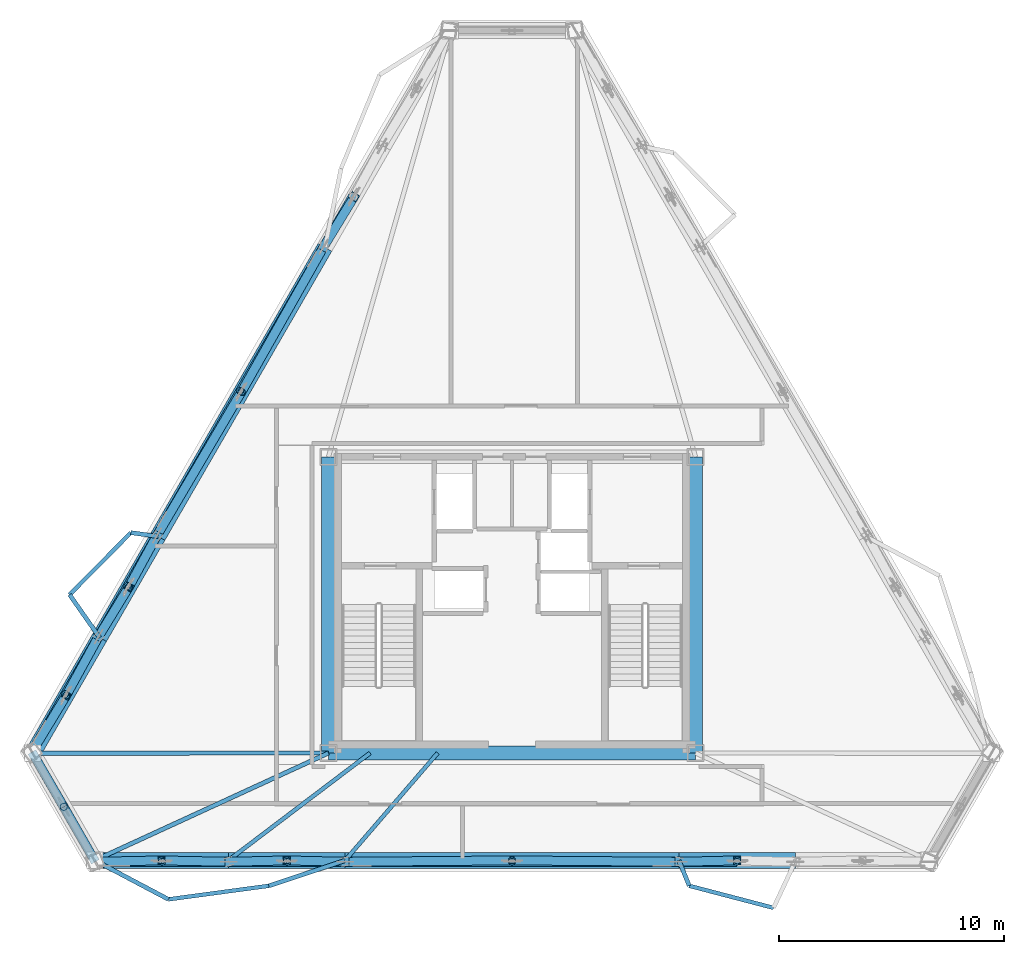
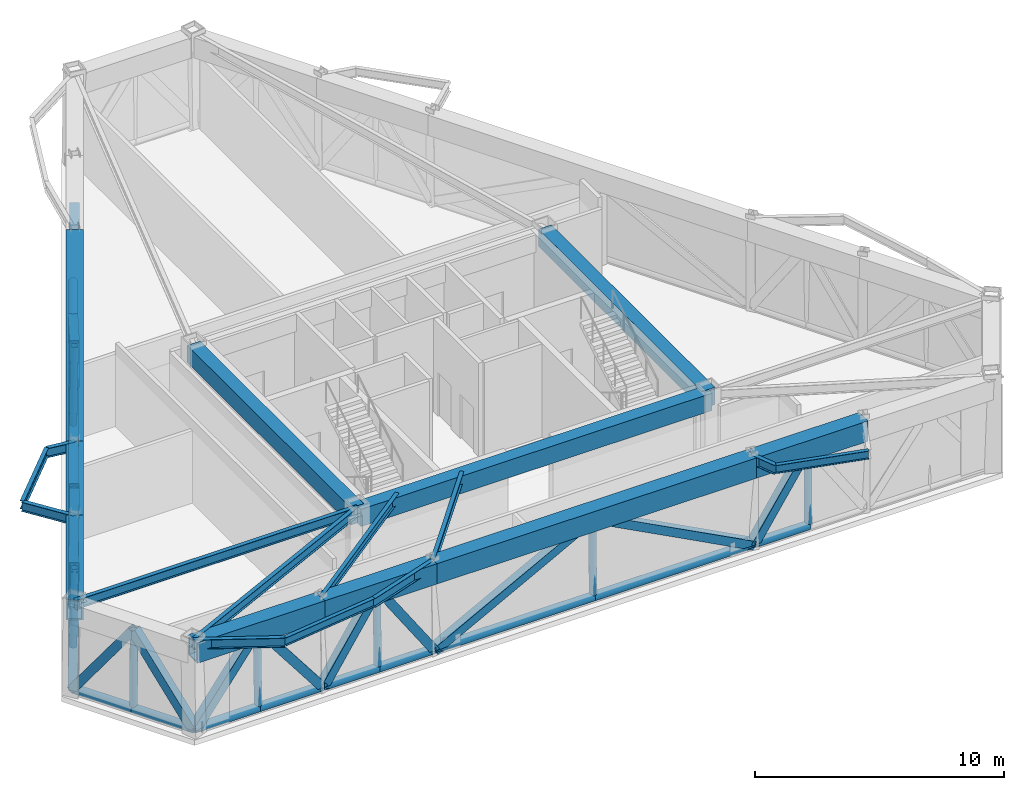
# One storey, part 2 of 10: 40 members, 22 beams.
"""IFC4 building model written with IfcOpenShell, lengths in metres."""

from ifc_helpers import new_model, si_unit, direction, frame, origin, origin_2d, place, context, subcontext, project, spatial, rectangle, hollow_rectangle, hollow_circle, i_section, extrude, material, material_profile, profile_set, type_object, element, save


model = new_model("IFC4")

# Units and contexts
model_context = context("Model", 3, precision=1e-05, world=origin(), true_north=direction((0.0, 1.0)))
body_context = subcontext(model_context, "Body", "Model", "MODEL_VIEW")
ifc_project = project(units=[si_unit("LENGTHUNIT", "METRE"), si_unit("AREAUNIT", "SQUARE_METRE"), si_unit("VOLUMEUNIT", "CUBIC_METRE"), si_unit("PLANEANGLEUNIT", "RADIAN"), si_unit("MASSUNIT", "GRAM", prefix="KILO")], contexts=[model_context])

# Site, building, storey
site_placement = place(None, origin())
site = spatial("IfcSite", under=ifc_project, at=site_placement, CompositionType="ELEMENT")
building_placement = place(site_placement, origin())
building = spatial("IfcBuilding", under=site, at=building_placement, Name="Oramaril Tower", CompositionType="ELEMENT")
storey_placement = place(building_placement, frame((0.0, 0.0, 245.10009765625)))
storey = spatial("IfcBuildingStorey", under=building, at=storey_placement, Name="L65", CompositionType="ELEMENT", Elevation=245.10009765625)

# Beams
ifc_material_1 = material(Name="Steel ASTM A572 Gr 50", Category="steel")
ifc_material_profile_1 = material_profile(ifc_material_1, i_section(OverallWidth=0.19091796875, OverallDepth=0.45703125, WebThickness=0.009033203125, FlangeThickness=0.014404296875, at=origin_2d()), Name="W18X50")
ifc_profile_set_1 = profile_set([ifc_material_profile_1], Name="Steel ASTM A572 Gr 50")
beam_type_1 = type_object("IfcBeamType", Name="BT-BB1", PredefinedType="BEAM", material=ifc_profile_set_1)
beam_1_placement = place(storey_placement, frame((29.35009765625, 11.0, 4.351318359375), z_axis=(-0.999999736844, -0.000725473227, 0.0), x_axis=(0.000725473227, -0.999999736844, 0.0)))
element("IfcBeam", 1, at=beam_1_placement, inside=storey, type_object=beam_type_1, Name="L65 Radial Primary Beam RB-01", PredefinedType="BEAM", context=body_context, shape_type="SweptSolid", body=[
    extrude(i_section(OverallWidth=0.19091796875, OverallDepth=0.45703125, WebThickness=0.009033203125, FlangeThickness=0.014404296875, at=origin_2d()), origin(), (0.0, 0.0, 1.0), 13.12451171875),
])
beam_2_placement = place(storey_placement, frame((29.35009765625, 11.0, 4.351318359375), z_axis=(-0.908607783353, -0.41765044718, 0.0), x_axis=(0.41765044718, -0.908607783353, 0.0)))
element("IfcBeam", 2, at=beam_2_placement, inside=storey, type_object=beam_type_1, Name="L65 Radial Primary Beam RB-02", PredefinedType="BEAM", context=body_context, shape_type="SweptSolid", body=[
    extrude(i_section(OverallWidth=0.19091796875, OverallDepth=0.45703125, WebThickness=0.009033203125, FlangeThickness=0.014404296875, at=origin_2d()), origin(), (0.0, 0.0, 1.0), 11.419921875),
])
beam_3_placement = place(storey_placement, frame((18.973876953125, 6.23046875, 4.351318359375), z_axis=(0.884062224735, -0.467369214644, 0.0), x_axis=(0.467369214644, 0.884062224735, 0.0)))
element("IfcBeam", 3, at=beam_3_placement, inside=storey, type_object=beam_type_1, Name="L65 Balcony Column-Framed Cantilever 01.1", PredefinedType="BEAM", context=body_context, shape_type="SweptSolid", body=[
    extrude(i_section(OverallWidth=0.19091796875, OverallDepth=0.45703125, WebThickness=0.009033203125, FlangeThickness=0.014404296875, at=origin_2d()), origin(), (0.0, 0.0, 1.0), 3.699951171875),
])
beam_4_placement = place(storey_placement, frame((30.089599609375, 6.23046875, 4.351318359375), z_axis=(-0.948703826322, -0.316166174537, 0.0), x_axis=(0.316166174537, -0.948703826322, 0.0)))
element("IfcBeam", 4, at=beam_4_placement, inside=storey, type_object=beam_type_1, Name="L65 Balcony Column-Framed Cantilever 01.2", PredefinedType="BEAM", context=body_context, shape_type="SweptSolid", body=[
    extrude(i_section(OverallWidth=0.19091796875, OverallDepth=0.45703125, WebThickness=0.009033203125, FlangeThickness=0.014404296875, at=origin_2d()), origin(), (0.0, 0.0, 1.0), 3.567626953125),
])
for number, where, z_axis, x_axis, name in (
    (5, (44.910400390625, 6.23046875, 4.351318359375), (0.377258682388, -0.926107923821, 0.0), (0.926107923821, 0.377258682388, 0.0), "L65 Balcony Column-Framed Cantilever 02.1"),
    (6, (21.783447265625, 20.6171875, 4.351318359375), (-0.990665985927, 0.13631179086, 0.0), (-0.13631179086, -0.990665985927, 0.0), "L65 Balcony Column-Framed Cantilever 06.1"),
):
    element("IfcBeam", number, at=place(storey_placement, frame(where, z_axis=z_axis, x_axis=x_axis)), inside=storey, type_object=beam_type_1, Name=name, PredefinedType="BEAM", context=body_context, shape_type="SweptSolid", body=[
        extrude(i_section(OverallWidth=0.19091796875, OverallDepth=0.45703125, WebThickness=0.009033203125, FlangeThickness=0.014404296875, at=origin_2d()), origin(), (0.0, 0.0, 1.0), 1.218017578125),
    ])
beam_5_placement = place(storey_placement, frame((19.189697265625, 16.124755859375, 4.351318359375), z_axis=(-0.573258053898, 0.819374885899, 0.0), x_axis=(-0.819374885899, -0.573258053898, 0.0)))
element("IfcBeam", 7, at=beam_5_placement, inside=storey, type_object=beam_type_1, Name="L65 Balcony Column-Framed Cantilever 06.2", PredefinedType="BEAM", context=body_context, shape_type="SweptSolid", body=[
    extrude(i_section(OverallWidth=0.19091796875, OverallDepth=0.45703125, WebThickness=0.009033203125, FlangeThickness=0.014404296875, at=origin_2d()), origin(), (0.0, 0.0, 1.0), 2.326171875),
])
ifc_material_2 = material(Name="Steel ASTM A572 Gr 50", Category="steel")
ifc_material_profile_2 = material_profile(ifc_material_2, hollow_rectangle(XDim=0.699951171875, YDim=1.0, WallThickness=0.06494140625, at=origin_2d()), Name="BOX1000X700X65")
ifc_profile_set_2 = profile_set([ifc_material_profile_2], Name="Steel ASTM A572 Gr 50")
beam_type_2 = type_object("IfcBeamType", Name="BT-BT1", PredefinedType="BEAM", material=ifc_profile_set_2)
beam_6_placement = place(storey_placement, frame((18.973876953125, 6.23046875, 4.079833984375), z_axis=(1.0, 0.0, 0.0), x_axis=(0.0, 1.0, 0.0)))
element("IfcBeam", 8, at=beam_6_placement, inside=storey, type_object=beam_type_2, Name="L65 Perimeter Spandrel 02", PredefinedType="BEAM", context=body_context, shape_type="SweptSolid", body=[
    extrude(hollow_rectangle(XDim=0.699951171875, YDim=1.0, WallThickness=0.06494140625, at=origin_2d()), origin(), (0.0, 0.0, 1.0), 5.92822265625),
])
beam_7_placement = place(storey_placement, frame((24.902099609375, 6.23046875, 4.079833984375), z_axis=(1.0, 0.0, 0.0), x_axis=(0.0, 1.0, 0.0)))
element("IfcBeam", 9, at=beam_7_placement, inside=storey, type_object=beam_type_2, Name="L65 Perimeter Spandrel 03", PredefinedType="BEAM", context=body_context, shape_type="SweptSolid", body=[
    extrude(hollow_rectangle(XDim=0.699951171875, YDim=1.0, WallThickness=0.06494140625, at=origin_2d()), origin(), (0.0, 0.0, 1.0), 5.1875),
])
beam_8_placement = place(storey_placement, frame((30.089599609375, 6.23046875, 4.079833984375), z_axis=(1.0, 0.0, 0.0), x_axis=(0.0, 1.0, 0.0)))
element("IfcBeam", 10, at=beam_8_placement, inside=storey, type_object=beam_type_2, Name="L65 Perimeter Spandrel 04", PredefinedType="BEAM", context=body_context, shape_type="SweptSolid", body=[
    extrude(hollow_rectangle(XDim=0.699951171875, YDim=1.0, WallThickness=0.06494140625, at=origin_2d()), origin(), (0.0, 0.0, 1.0), 14.82080078125),
])
beam_9_placement = place(storey_placement, frame((44.910400390625, 6.23046875, 4.079833984375), z_axis=(1.0, 0.0, 0.0), x_axis=(0.0, 1.0, 0.0)))
element("IfcBeam", 11, at=beam_9_placement, inside=storey, type_object=beam_type_2, Name="L65 Perimeter Spandrel 05", PredefinedType="BEAM", context=body_context, shape_type="SweptSolid", body=[
    extrude(hollow_rectangle(XDim=0.699951171875, YDim=1.0, WallThickness=0.06494140625, at=origin_2d()), origin(), (0.0, 0.0, 1.0), 5.1875),
])
beam_10_placement = place(storey_placement, frame((29.19384765625, 33.452392578125, 4.079833984375), z_axis=(-0.499999558914, -0.866025658445, 0.0), x_axis=(0.866025658445, -0.499999558914, 0.0)))
element("IfcBeam", 12, at=beam_10_placement, inside=storey, type_object=beam_type_2, Name="L65 Perimeter Spandrel 16", PredefinedType="BEAM", context=body_context, shape_type="SweptSolid", body=[
    extrude(hollow_rectangle(XDim=0.699951171875, YDim=1.0, WallThickness=0.06494140625, at=origin_2d()), origin(), (0.0, 0.0, 1.0), 14.82080078125),
])
beam_11_placement = place(storey_placement, frame((21.783447265625, 20.6171875, 4.079833984375), z_axis=(-0.500006272302, -0.866021782439, 0.0), x_axis=(0.866021782439, -0.500006272302, 0.0)))
element("IfcBeam", 13, at=beam_11_placement, inside=storey, type_object=beam_type_2, Name="L65 Perimeter Spandrel 17", PredefinedType="BEAM", context=body_context, shape_type="SweptSolid", body=[
    extrude(hollow_rectangle(XDim=0.699951171875, YDim=1.0, WallThickness=0.06494140625, at=origin_2d()), origin(), (0.0, 0.0, 1.0), 5.1875),
])
beam_12_placement = place(storey_placement, frame((19.189697265625, 16.124755859375, 4.079833984375), z_axis=(-0.499979116088, -0.866037460781, 0.0), x_axis=(0.866037460781, -0.499979116088, 0.0)))
element("IfcBeam", 14, at=beam_12_placement, inside=storey, type_object=beam_type_2, Name="L65 Perimeter Spandrel 18", PredefinedType="BEAM", context=body_context, shape_type="SweptSolid", body=[
    extrude(hollow_rectangle(XDim=0.699951171875, YDim=1.0, WallThickness=0.06494140625, at=origin_2d()), origin(), (0.0, 0.0, 1.0), 5.928466796875),
])
ifc_material_3 = material(Name="Concrete C50/60", Category="concrete")
ifc_material_profile_3 = material_profile(ifc_material_3, rectangle(XDim=0.60009765625, YDim=0.85009765625, at=origin_2d()), Name="CB600X850")
ifc_profile_set_3 = profile_set([ifc_material_profile_3], Name="Concrete C50/60")
beam_type_3 = type_object("IfcBeamType", Name="BT-CB2", PredefinedType="BEAM", material=ifc_profile_set_3)
beam_13_placement = place(storey_placement, frame((29.35009765625, 11.0, 4.15478515625), z_axis=(1.0, 0.0, 0.0), x_axis=(0.0, 1.0, 0.0)))
element("IfcBeam", 15, at=beam_13_placement, inside=storey, type_object=beam_type_3, Name="L65 Core Header Beam CB-1", PredefinedType="BEAM", context=body_context, shape_type="SweptSolid", body=[
    extrude(rectangle(XDim=0.60009765625, YDim=0.85009765625, at=origin_2d()), origin(), (0.0, 0.0, 1.0), 16.2998046875),
])
for number, where, z_axis, x_axis, name in (
    (16, (45.64990234375, 11.0, 4.15478515625), (0.0, 1.0, 0.0), (-1.0, 0.0, 0.0), "L65 Core Header Beam CB-2"),
    (17, (29.35009765625, 24.14990234375, 4.15478515625), (0.0, -1.0, 0.0), (1.0, 0.0, 0.0), "L65 Core Header Beam CB-4"),
):
    element("IfcBeam", number, at=place(storey_placement, frame(where, z_axis=z_axis, x_axis=x_axis)), inside=storey, type_object=beam_type_3, Name=name, PredefinedType="BEAM", context=body_context, shape_type="SweptSolid", body=[
        extrude(rectangle(XDim=0.60009765625, YDim=0.85009765625, at=origin_2d()), origin(), (0.0, 0.0, 1.0), 13.14990234375),
    ])
ifc_material_4 = material(Name="Steel ASTM A572 Gr 50", Category="steel")
ifc_material_profile_4 = material_profile(ifc_material_4, i_section(OverallWidth=0.177978515625, OverallDepth=0.404052734375, WebThickness=0.007568359375, FlangeThickness=0.010986328125, at=origin_2d()), Name="W16X36")
ifc_profile_set_4 = profile_set([ifc_material_profile_4], Name="Steel ASTM A572 Gr 50")
beam_type_4 = type_object("IfcBeamType", Name="BT-SB1", PredefinedType="BEAM", material=ifc_profile_set_4)
beam_14_placement = place(storey_placement, frame((31.199951171875, 11.0, 4.3779296875), z_axis=(-0.797187697542, -0.603731542068, 0.0), x_axis=(0.603731542068, -0.797187697542, 0.0)))
element("IfcBeam", 18, at=beam_14_placement, inside=storey, type_object=beam_type_4, Name="L65 Secondary Floor Beam SB-01", PredefinedType="BEAM", context=body_context, shape_type="SweptSolid", body=[
    extrude(i_section(OverallWidth=0.177978515625, OverallDepth=0.404052734375, WebThickness=0.007568359375, FlangeThickness=0.010986328125, at=origin_2d()), origin(), (0.0, 0.0, 1.0), 7.900146484375),
])
beam_15_placement = place(storey_placement, frame((34.199951171875, 11.0, 4.3779296875), z_axis=(-0.652819955538, -0.757513105927, 0.0), x_axis=(0.757513105927, -0.652819955538, 0.0)))
element("IfcBeam", 19, at=beam_15_placement, inside=storey, type_object=beam_type_4, Name="L65 Secondary Floor Beam SB-02", PredefinedType="BEAM", context=body_context, shape_type="SweptSolid", body=[
    extrude(i_section(OverallWidth=0.177978515625, OverallDepth=0.404052734375, WebThickness=0.007568359375, FlangeThickness=0.010986328125, at=origin_2d()), origin(), (0.0, 0.0, 1.0), 6.29638671875),
])
beam_16_placement = place(storey_placement, frame((22.244873046875, 4.501220703125, 4.3779296875), z_axis=(0.991034020981, 0.13360976483, 0.0), x_axis=(-0.13360976483, 0.991034020981, 0.0)))
element("IfcBeam", 20, at=beam_16_placement, inside=storey, type_object=beam_type_4, Name="L65 Balcony Edge Tie Beam 01", PredefinedType="BEAM", context=body_context, shape_type="SweptSolid", body=[
    extrude(i_section(OverallWidth=0.177978515625, OverallDepth=0.404052734375, WebThickness=0.007568359375, FlangeThickness=0.010986328125, at=origin_2d()), origin(), (0.0, 0.0, 1.0), 4.50048828125),
])
for number, where, z_axis, x_axis, name in (
    (21, (45.369873046875, 5.1025390625, 4.3779296875), (0.967407922874, -0.253223045479, 0.0), (0.253223045479, 0.967407922874, 0.0), "L65 Balcony Edge Tie Beam 02"),
    (22, (20.576904296875, 20.783203125, 4.3779296875), (-0.702994511648, -0.71119527318, 0.0), (0.71119527318, -0.702994511648, 0.0), "L65 Balcony Edge Tie Beam 06"),
):
    element("IfcBeam", number, at=place(storey_placement, frame(where, z_axis=z_axis, x_axis=x_axis)), inside=storey, type_object=beam_type_4, Name=name, PredefinedType="BEAM", context=body_context, shape_type="SweptSolid", body=[
        extrude(i_section(OverallWidth=0.177978515625, OverallDepth=0.404052734375, WebThickness=0.007568359375, FlangeThickness=0.010986328125, at=origin_2d()), origin(), (0.0, 0.0, 1.0), 3.8701171875),
    ])

# Members
ifc_material_5 = material(Name="Steel ASTM A572 Gr 50", Category="steel")
ifc_material_profile_5 = material_profile(ifc_material_5, hollow_rectangle(XDim=0.39990234375, YDim=0.39990234375, WallThickness=0.02001953125, at=origin_2d()), Name="HSS400X400X20")
ifc_profile_set_5 = profile_set([ifc_material_profile_5], Name="Steel ASTM A572 Gr 50")
member_type_1 = type_object("IfcMemberType", Name="MT-BD1", PredefinedType="BRACE", material=ifc_profile_set_5)
for number, where, z_axis, x_axis, name in (
    (23, (16.18408203125, 11.04345703125, 0.2099609375), (0.295811617884, -0.508410274615, 0.808711616951), (0.864341482585, 0.502905360364, 0.0), "L65 Truss Diagonal 01A"),
    (24, (18.998779296875, 6.168212890625, 0.2099609375), (-0.292390889249, 0.510395822029, 0.808704935523), (-0.867703534093, -0.497082062564, 0.0), "L65 Truss Diagonal 01B"),
):
    element("IfcMember", number, at=place(storey_placement, frame(where, z_axis=z_axis, x_axis=x_axis)), inside=storey, type_object=member_type_1, Name=name, PredefinedType="BRACE", context=body_context, shape_type="SweptSolid", body=[
        extrude(hollow_rectangle(XDim=0.39990234375, YDim=0.39990234375, WallThickness=0.02001953125, at=origin_2d()), origin(), (0.0, 0.0, 1.0), 4.78515625),
    ])
member_1_placement = place(storey_placement, frame((18.998779296875, 6.168212890625, 0.2099609375), z_axis=(0.604786487698, 0.012810080103, 0.79628462634), x_axis=(-0.021176411449, 0.999775754656, 0.0)))
element("IfcMember", 25, at=member_1_placement, inside=storey, type_object=member_type_1, Name="L65 Truss Diagonal 02A", PredefinedType="BRACE", context=body_context, shape_type="SweptSolid", body=[
    extrude(hollow_rectangle(XDim=0.39990234375, YDim=0.39990234375, WallThickness=0.02001953125, at=origin_2d()), origin(), (0.0, 0.0, 1.0), 4.85986328125),
])
member_2_placement = place(storey_placement, frame((24.919189453125, 6.168212890625, 0.2099609375), z_axis=(-0.610223810426, 0.012743188245, 0.792126575961), x_axis=(-0.020878258658, -0.999782025401, 0.0)))
element("IfcMember", 26, at=member_2_placement, inside=storey, type_object=member_type_1, Name="L65 Truss Diagonal 02B", PredefinedType="BRACE", context=body_context, shape_type="SweptSolid", body=[
    extrude(hollow_rectangle(XDim=0.39990234375, YDim=0.39990234375, WallThickness=0.02001953125, at=origin_2d()), origin(), (0.0, 0.0, 1.0), 4.885498046875),
])
member_3_placement = place(storey_placement, frame((24.919189453125, 6.168212890625, 0.2099609375), z_axis=(0.554165691322, 0.01338944962, 0.832298689895), x_axis=(-0.024154406021, 0.999708239773, 0.0)))
element("IfcMember", 27, at=member_3_placement, inside=storey, type_object=member_type_1, Name="L65 Truss Diagonal 03A", PredefinedType="BRACE", context=body_context, shape_type="SweptSolid", body=[
    extrude(hollow_rectangle(XDim=0.39990234375, YDim=0.39990234375, WallThickness=0.02001953125, at=origin_2d()), origin(), (0.0, 0.0, 1.0), 4.649658203125),
])
member_4_placement = place(storey_placement, frame((30.099609375, 6.168212890625, 0.2099609375), z_axis=(-0.558184627744, 0.013346186599, 0.82960942657), x_axis=(-0.023903154345, -0.999714278788, 0.0)))
element("IfcMember", 28, at=member_4_placement, inside=storey, type_object=member_type_1, Name="L65 Truss Diagonal 03B", PredefinedType="BRACE", context=body_context, shape_type="SweptSolid", body=[
    extrude(hollow_rectangle(XDim=0.39990234375, YDim=0.39990234375, WallThickness=0.02001953125, at=origin_2d()), origin(), (0.0, 0.0, 1.0), 4.664794921875),
])
for number, where, z_axis, x_axis, name in (
    (29, (30.099609375, 6.168212890625, 0.2099609375), (0.886127706926, 0.007454558105, 0.463381178493), (-0.008412212235, 0.999964616717, 0.0), "L65 Truss Diagonal 04A"),
    (30, (44.900390625, 6.168212890625, 0.2099609375), (-0.886127706926, 0.007454558105, 0.463381178493), (-0.008412212235, -0.999964616717, 0.0), "L65 Truss Diagonal 04B"),
):
    element("IfcMember", number, at=place(storey_placement, frame(where, z_axis=z_axis, x_axis=x_axis)), inside=storey, type_object=member_type_1, Name=name, PredefinedType="BRACE", context=body_context, shape_type="SweptSolid", body=[
        extrude(hollow_rectangle(XDim=0.39990234375, YDim=0.39990234375, WallThickness=0.02001953125, at=origin_2d()), origin(), (0.0, 0.0, 1.0), 8.351318359375),
    ])
member_5_placement = place(storey_placement, frame((44.900390625, 6.168212890625, 0.2099609375), z_axis=(0.558184627744, 0.013346186599, 0.82960942657), x_axis=(-0.023903154345, 0.999714278788, 0.0)))
element("IfcMember", 31, at=member_5_placement, inside=storey, type_object=member_type_1, Name="L65 Truss Diagonal 05A", PredefinedType="BRACE", context=body_context, shape_type="SweptSolid", body=[
    extrude(hollow_rectangle(XDim=0.39990234375, YDim=0.39990234375, WallThickness=0.02001953125, at=origin_2d()), origin(), (0.0, 0.0, 1.0), 4.664794921875),
])
member_6_placement = place(storey_placement, frame((29.135009765625, 33.474853515625, 0.2099609375), z_axis=(0.29063912033, 0.476704683587, 0.829627353925), x_axis=(-0.853823614956, 0.520562421371, 0.0)))
element("IfcMember", 32, at=member_6_placement, inside=storey, type_object=member_type_1, Name="L65 Truss Diagonal 15B", PredefinedType="BRACE", context=body_context, shape_type="SweptSolid", body=[
    extrude(hollow_rectangle(XDim=0.39990234375, YDim=0.39990234375, WallThickness=0.02001953125, at=origin_2d()), origin(), (0.0, 0.0, 1.0), 4.66455078125),
])
member_7_placement = place(storey_placement, frame((29.135009765625, 33.474853515625, 0.2099609375), z_axis=(-0.436598852886, -0.771144368281, 0.463376526086), x_axis=(0.870207487805, -0.492685425163, 0.0)))
element("IfcMember", 33, at=member_7_placement, inside=storey, type_object=member_type_1, Name="L65 Truss Diagonal 16A", PredefinedType="BRACE", context=body_context, shape_type="SweptSolid", body=[
    extrude(hollow_rectangle(XDim=0.39990234375, YDim=0.39990234375, WallThickness=0.02001953125, at=origin_2d()), origin(), (0.0, 0.0, 1.0), 8.3515625),
])
member_8_placement = place(storey_placement, frame((21.734619140625, 20.656982421875, 0.2099609375), z_axis=(0.449528141412, 0.763674555382, 0.463384962575), x_axis=(-0.861782374353, 0.507278167532, 0.0)))
element("IfcMember", 34, at=member_8_placement, inside=storey, type_object=member_type_1, Name="L65 Truss Diagonal 16B", PredefinedType="BRACE", context=body_context, shape_type="SweptSolid", body=[
    extrude(hollow_rectangle(XDim=0.39990234375, YDim=0.39990234375, WallThickness=0.02001953125, at=origin_2d()), origin(), (0.0, 0.0, 1.0), 8.351318359375),
])
member_9_placement = place(storey_placement, frame((21.734619140625, 20.656982421875, 0.2099609375), z_axis=(-0.267499608467, -0.490093197748, 0.829609918571), x_axis=(0.877762992502, -0.479095114767, 0.0)))
element("IfcMember", 35, at=member_9_placement, inside=storey, type_object=member_type_1, Name="L65 Truss Diagonal 17A", PredefinedType="BRACE", context=body_context, shape_type="SweptSolid", body=[
    extrude(hollow_rectangle(XDim=0.39990234375, YDim=0.39990234375, WallThickness=0.02001953125, at=origin_2d()), origin(), (0.0, 0.0, 1.0), 4.664794921875),
])
member_10_placement = place(storey_placement, frame((19.144287109375, 16.170654296875, 0.2099609375), z_axis=(0.288738267681, 0.473196811846, 0.832295013823), x_axis=(-0.853632855766, 0.52087517464, 0.0)))
element("IfcMember", 36, at=member_10_placement, inside=storey, type_object=member_type_1, Name="L65 Truss Diagonal 17B", PredefinedType="BRACE", context=body_context, shape_type="SweptSolid", body=[
    extrude(hollow_rectangle(XDim=0.39990234375, YDim=0.39990234375, WallThickness=0.02001953125, at=origin_2d()), origin(), (0.0, 0.0, 1.0), 4.649658203125),
])
member_11_placement = place(storey_placement, frame((19.144287109375, 16.170654296875, 0.2099609375), z_axis=(-0.294042044079, -0.534862678073, 0.792124480065), x_axis=(0.87630751106, -0.481752162485, 0.0)))
element("IfcMember", 37, at=member_11_placement, inside=storey, type_object=member_type_1, Name="L65 Truss Diagonal 18A", PredefinedType="BRACE", context=body_context, shape_type="SweptSolid", body=[
    extrude(hollow_rectangle(XDim=0.39990234375, YDim=0.39990234375, WallThickness=0.02001953125, at=origin_2d()), origin(), (0.0, 0.0, 1.0), 4.885498046875),
])
member_12_placement = place(storey_placement, frame((16.18408203125, 11.04345703125, 0.2099609375), z_axis=(0.313521879387, 0.517328683533, 0.796288304786), x_axis=(-0.855205639658, 0.518288832502, 0.0)))
element("IfcMember", 38, at=member_12_placement, inside=storey, type_object=member_type_1, Name="L65 Truss Diagonal 18B", PredefinedType="BRACE", context=body_context, shape_type="SweptSolid", body=[
    extrude(hollow_rectangle(XDim=0.39990234375, YDim=0.39990234375, WallThickness=0.02001953125, at=origin_2d()), origin(), (0.0, 0.0, 1.0), 4.85986328125),
])
ifc_material_6 = material(Name="Steel ASTM A572 Gr 50", Category="steel")
ifc_material_profile_6 = material_profile(ifc_material_6, hollow_circle(Radius=0.202880859375, WallThickness=0.01611328125, at=origin_2d()), Name="CHS406X16")
ifc_profile_set_6 = profile_set([ifc_material_profile_6], Name="Steel ASTM A572 Gr 50")
member_type_2 = type_object("IfcMemberType", Name="MT-CH1", PredefinedType="CHORD", material=ifc_profile_set_6)
for number, where, z_axis, x_axis, name in (
    (39, (16.18408203125, 11.04345703125, 0.2099609375), (0.500047808172, -0.865997799964, 0.0), (0.865997799964, 0.500047808172, 0.0), "L65 Belt Truss Chord 01A"),
    (40, (17.591552734375, 8.60595703125, 0.2099609375), (0.499945196853, -0.866057042084, 0.0), (0.866057042084, 0.499945196853, 0.0), "L65 Belt Truss Chord 01B"),
):
    element("IfcMember", number, at=place(storey_placement, frame(where, z_axis=z_axis, x_axis=x_axis)), inside=storey, type_object=member_type_2, Name=name, PredefinedType="CHORD", context=body_context, shape_type="SweptSolid", body=[
        extrude(hollow_circle(Radius=0.202880859375, WallThickness=0.01611328125, at=origin_2d()), origin(), (0.0, 0.0, 1.0), 2.814697265625),
    ])
for number, where, z_axis, x_axis, name in (
    (41, (18.998779296875, 6.168212890625, 0.2099609375), (1.0, 0.0, 0.0), (0.0, 1.0, 0.0), "L65 Belt Truss Chord 02A"),
    (42, (21.958984375, 6.168212890625, 0.2099609375), (1.0, 0.0, 0.0), (0.0, 1.0, 0.0), "L65 Belt Truss Chord 02B"),
):
    element("IfcMember", number, at=place(storey_placement, frame(where, z_axis=z_axis, x_axis=x_axis)), inside=storey, type_object=member_type_2, Name=name, PredefinedType="CHORD", context=body_context, shape_type="SweptSolid", body=[
        extrude(hollow_circle(Radius=0.202880859375, WallThickness=0.01611328125, at=origin_2d()), origin(), (0.0, 0.0, 1.0), 2.960205078125),
    ])
member_13_placement = place(storey_placement, frame((24.919189453125, 6.168212890625, 0.2099609375), z_axis=(1.0, 0.0, 0.0), x_axis=(0.0, 1.0, 0.0)))
element("IfcMember", 43, at=member_13_placement, inside=storey, type_object=member_type_2, Name="L65 Belt Truss Chord 03A", PredefinedType="CHORD", context=body_context, shape_type="SweptSolid", body=[
    extrude(hollow_circle(Radius=0.202880859375, WallThickness=0.01611328125, at=origin_2d()), origin(), (0.0, 0.0, 1.0), 2.59033203125),
])
member_14_placement = place(storey_placement, frame((27.509521484375, 6.168212890625, 0.2099609375), z_axis=(1.0, 0.0, 0.0), x_axis=(0.0, 1.0, 0.0)))
element("IfcMember", 44, at=member_14_placement, inside=storey, type_object=member_type_2, Name="L65 Belt Truss Chord 03B", PredefinedType="CHORD", context=body_context, shape_type="SweptSolid", body=[
    extrude(hollow_circle(Radius=0.202880859375, WallThickness=0.01611328125, at=origin_2d()), origin(), (0.0, 0.0, 1.0), 2.590087890625),
])
for number, where, z_axis, x_axis, name in (
    (45, (30.099609375, 6.168212890625, 0.2099609375), (1.0, 0.0, 0.0), (0.0, 1.0, 0.0), "L65 Belt Truss Chord 04A"),
    (46, (37.5, 6.168212890625, 0.2099609375), (1.0, 0.0, 0.0), (0.0, 1.0, 0.0), "L65 Belt Truss Chord 04B"),
):
    element("IfcMember", number, at=place(storey_placement, frame(where, z_axis=z_axis, x_axis=x_axis)), inside=storey, type_object=member_type_2, Name=name, PredefinedType="CHORD", context=body_context, shape_type="SweptSolid", body=[
        extrude(hollow_circle(Radius=0.202880859375, WallThickness=0.01611328125, at=origin_2d()), origin(), (0.0, 0.0, 1.0), 7.400390625),
    ])
member_15_placement = place(storey_placement, frame((44.900390625, 6.168212890625, 0.2099609375), z_axis=(1.0, 0.0, 0.0), x_axis=(0.0, 1.0, 0.0)))
element("IfcMember", 47, at=member_15_placement, inside=storey, type_object=member_type_2, Name="L65 Belt Truss Chord 05A", PredefinedType="CHORD", context=body_context, shape_type="SweptSolid", body=[
    extrude(hollow_circle(Radius=0.202880859375, WallThickness=0.01611328125, at=origin_2d()), origin(), (0.0, 0.0, 1.0), 2.590087890625),
])
member_16_placement = place(storey_placement, frame((30.43017578125, 35.718017578125, 0.2099609375), z_axis=(-0.500021611996, -0.866012925733, 0.0), x_axis=(0.866012925733, -0.500021611996, 0.0)))
element("IfcMember", 48, at=member_16_placement, inside=storey, type_object=member_type_2, Name="L65 Belt Truss Chord 15B", PredefinedType="CHORD", context=body_context, shape_type="SweptSolid", body=[
    extrude(hollow_circle(Radius=0.202880859375, WallThickness=0.01611328125, at=origin_2d()), origin(), (0.0, 0.0, 1.0), 2.59033203125),
])
for number, where, z_axis, x_axis, name in (
    (49, (29.135009765625, 33.474853515625, 0.2099609375), (-0.499999457728, -0.866025716865, 0.0), (0.866025716865, -0.499999457728, 0.0), "L65 Belt Truss Chord 16A"),
    (50, (25.434814453125, 27.06591796875, 0.2099609375), (-0.499999457728, -0.866025716865, 0.0), (0.866025716865, -0.499999457728, 0.0), "L65 Belt Truss Chord 16B"),
):
    element("IfcMember", number, at=place(storey_placement, frame(where, z_axis=z_axis, x_axis=x_axis)), inside=storey, type_object=member_type_2, Name=name, PredefinedType="CHORD", context=body_context, shape_type="SweptSolid", body=[
        extrude(hollow_circle(Radius=0.202880859375, WallThickness=0.01611328125, at=origin_2d()), origin(), (0.0, 0.0, 1.0), 7.400390625),
    ])
for number, where, z_axis, x_axis, name in (
    (51, (21.734619140625, 20.656982421875, 0.2099609375), (-0.500021611996, -0.866012925733, 0.0), (0.866012925733, -0.500021611996, 0.0), "L65 Belt Truss Chord 17A"),
    (52, (20.439453125, 18.413818359375, 0.2099609375), (-0.500021611996, -0.866012925733, 0.0), (0.866012925733, -0.500021611996, 0.0), "L65 Belt Truss Chord 17B"),
):
    element("IfcMember", number, at=place(storey_placement, frame(where, z_axis=z_axis, x_axis=x_axis)), inside=storey, type_object=member_type_2, Name=name, PredefinedType="CHORD", context=body_context, shape_type="SweptSolid", body=[
        extrude(hollow_circle(Radius=0.202880859375, WallThickness=0.01611328125, at=origin_2d()), origin(), (0.0, 0.0, 1.0), 2.59033203125),
    ])
member_17_placement = place(storey_placement, frame((19.144287109375, 16.170654296875, 0.2099609375), z_axis=(-0.499988999718, -0.866031754707, 0.0), x_axis=(0.866031754707, -0.499988999718, 0.0)))
element("IfcMember", 53, at=member_17_placement, inside=storey, type_object=member_type_2, Name="L65 Belt Truss Chord 18A", PredefinedType="CHORD", context=body_context, shape_type="SweptSolid", body=[
    extrude(hollow_circle(Radius=0.202880859375, WallThickness=0.01611328125, at=origin_2d()), origin(), (0.0, 0.0, 1.0), 2.9599609375),
])
member_18_placement = place(storey_placement, frame((17.664306640625, 13.607177734375, 0.2099609375), z_axis=(-0.500015142839, -0.866016660886, 0.0), x_axis=(0.866016660886, -0.500015142839, 0.0)))
element("IfcMember", 54, at=member_18_placement, inside=storey, type_object=member_type_2, Name="L65 Belt Truss Chord 18B", PredefinedType="CHORD", context=body_context, shape_type="SweptSolid", body=[
    extrude(hollow_circle(Radius=0.202880859375, WallThickness=0.01611328125, at=origin_2d()), origin(), (0.0, 0.0, 1.0), 2.96044921875),
])
ifc_material_7 = material(Name="Steel ASTM A572 Gr 50", Category="steel")
ifc_material_profile_7 = material_profile(ifc_material_7, hollow_circle(Radius=0.162109375, WallThickness=0.011962890625, at=origin_2d()), Name="CHS324X12")
ifc_profile_set_7 = profile_set([ifc_material_profile_7], Name="Steel ASTM A572 Gr 50")
member_type_3 = type_object("IfcMemberType", Name="MT-ST1", PredefinedType="STRUT", material=ifc_profile_set_7)
member_19_placement = place(storey_placement, frame((17.591552734375, 8.60595703125, 0.2099609375), z_axis=(0.002081881571, 0.001198659086, 0.999997114489), x_axis=(-0.498964444867, 0.866622456874, 0.0)))
element("IfcMember", 55, at=member_19_placement, inside=storey, type_object=member_type_3, Name="L65 Belt Truss Strut 01", PredefinedType="STRUT", context=body_context, shape_type="SweptSolid", body=[
    extrude(hollow_circle(Radius=0.162109375, WallThickness=0.011962890625, at=origin_2d()), origin(), (0.0, 0.0, 1.0), 3.869873046875),
])
for number, where, z_axis, x_axis, name in (
    (56, (21.958984375, 6.168212890625, 0.2099609375), (-0.005424743451, 0.016084995117, 0.999855912165), (-0.947562623673, -0.319570139748, 0.0), "L65 Belt Truss Strut 02"),
    (57, (27.509521484375, 6.168212890625, 0.2099609375), (-0.003532421022, 0.01608513144, 0.999864386079), (-0.976724774611, -0.214496421091, 0.0), "L65 Belt Truss Strut 03"),
    (58, (37.5, 6.168212890625, 0.2099609375), (0.0, 0.016085231796, 0.99987062429), (-1.0, 0.0, 0.0), "L65 Belt Truss Strut 04"),
    (59, (47.490478515625, 6.168212890625, 0.2099609375), (0.003532421022, 0.01608513144, 0.999864386079), (-0.976724774611, 0.214496421091, 0.0), "L65 Belt Truss Strut 05"),
    (60, (25.434814453125, 27.06591796875, 0.2099609375), (0.013940528676, -0.008074152355, 0.999870226441), (0.501190610045, 0.865336912655, 0.0), "L65 Belt Truss Strut 16"),
    (61, (20.439453125, 18.413818359375, 0.2099609375), (0.012237304704, -0.011101884679, 0.999863488947), (0.671912357248, 0.740630666512, 0.0), "L65 Belt Truss Strut 17"),
    (62, (17.664306640625, 13.607177734375, 0.2099609375), (0.011227946833, -0.012804905657, 0.999854973284), (0.751887951591, 0.659290913218, 0.0), "L65 Belt Truss Strut 18"),
):
    element("IfcMember", number, at=place(storey_placement, frame(where, z_axis=z_axis, x_axis=x_axis)), inside=storey, type_object=member_type_3, Name=name, PredefinedType="STRUT", context=body_context, shape_type="SweptSolid", body=[
        extrude(hollow_circle(Radius=0.162109375, WallThickness=0.011962890625, at=origin_2d()), origin(), (0.0, 0.0, 1.0), 3.870361328125),
    ])

save(model, "model.ifc")
